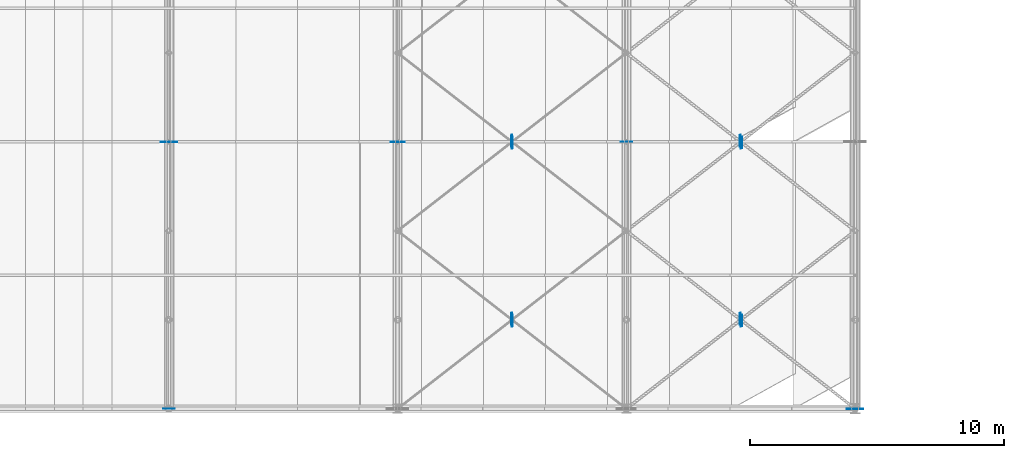
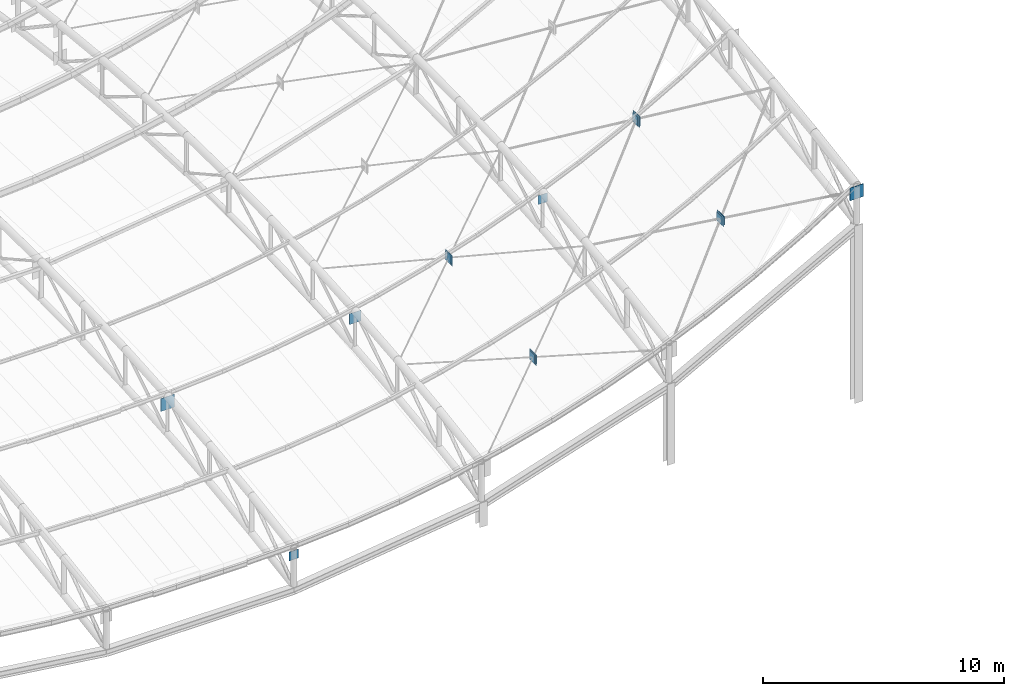
# One storey, part 240 of 262: 17 plates.
"""IFC4 building model written with IfcOpenShell, lengths in metres."""

import ifcopenshell
import ifcopenshell.guid

model = None  # the IFC model being written
_history = None  # IfcOwnerHistory: only IFC2X3 demands one
_inside = {}  # id of a spatial element -> (the spatial element, [elements in it])
_under = {}  # id of a project, library or spatial element -> (it, [spatial elements below it])
_declared = {}  # id of a project -> (the project, [libraries it declares])
_typed = {}  # id of a type object -> (the type object, [elements of that type])
_made_of = {}  # id of a material, layer set ... -> (it, [elements and type objects made of it])


def new_model(schema):
    """Start an empty IFC model of exactly this schema.

    Asked for "IFC4X3", IfcOpenShell would pick the latest addendum, in which some entities
    have other attributes; the version numbers below select the first issue.
    IFC2X3 requires an IfcOwnerHistory on every rooted entity: one is made here for all.
    """
    global model, _history
    if schema == "IFC4X3":
        model = ifcopenshell.file(schema_version=(4, 3, 0, 0))
    else:
        model = ifcopenshell.file(schema=schema)
    _inside.clear()
    _under.clear()
    _declared.clear()
    _typed.clear()
    _made_of.clear()
    _history = None
    if model.schema == "IFC2X3":
        org = make("IfcOrganization", Name="unknown")
        user = make(
            "IfcPersonAndOrganization",
            ThePerson=make("IfcPerson", FamilyName="unknown"),
            TheOrganization=org,
        )
        app = make(
            "IfcApplication",
            ApplicationDeveloper=org,
            Version="unknown",
            ApplicationFullName="unknown",
            ApplicationIdentifier="unknown",
        )
        _history = make(
            "IfcOwnerHistory",
            OwningUser=user,
            OwningApplication=app,
            ChangeAction="ADDED",
            CreationDate=0,
        )
    return model


def make(cls, **values):
    """One entity of the class cls with the attributes given. An attribute that is None is left unset."""
    return model.create_entity(
        cls, **{name: value for name, value in values.items() if value is not None}
    )


def rooted(cls, **values):
    """An entity with a GlobalId (a new one), such as an element, a storey or a relation."""
    return make(cls, GlobalId=ifcopenshell.guid.new(), OwnerHistory=_history, **values)


def si_unit(unit_type, name, prefix=None):
    """IfcSIUnit, for example si_unit("LENGTHUNIT", "METRE", prefix="MILLI")."""
    return make("IfcSIUnit", UnitType=unit_type, Prefix=prefix, Name=name)


def derived_unit(unit_type, elements):
    """IfcDerivedUnit: a product of units, each with its exponent."""
    return make(
        "IfcDerivedUnit",
        Elements=[
            make("IfcDerivedUnitElement", Unit=unit, Exponent=power)
            for unit, power in elements
        ],
        UnitType=unit_type,
    )


def assignment(units):
    """IfcUnitAssignment: the units of a project."""
    return None if units is None else make("IfcUnitAssignment", Units=units)


def point(xyz):
    """IfcCartesianPoint."""
    return None if xyz is None else make("IfcCartesianPoint", Coordinates=xyz)


def direction(xyz):
    """IfcDirection."""
    return None if xyz is None else make("IfcDirection", DirectionRatios=xyz)


def frame(location, z_axis=None, x_axis=None):
    """IfcAxis2Placement3D, a coordinate frame: its origin and axes. An axis left out is left unset."""
    return make(
        "IfcAxis2Placement3D",
        Location=point(location),
        Axis=direction(z_axis),
        RefDirection=direction(x_axis),
    )


def frame_2d(location, x_axis=None):
    """IfcAxis2Placement2D, a coordinate frame in the plane: its origin and x axis."""
    return make(
        "IfcAxis2Placement2D", Location=point(location), RefDirection=direction(x_axis)
    )


def origin():
    """The frame at (0, 0, 0) with its axes left unset."""
    return frame((0.0, 0.0, 0.0))


def origin_2d():
    """The frame at (0, 0) in the plane with its x axis left unset."""
    return frame_2d((0.0, 0.0))


def place(relative_to, where):
    """IfcLocalPlacement: puts the frame where relative to a parent placement (None: the world)."""
    return make(
        "IfcLocalPlacement", PlacementRelTo=relative_to, RelativePlacement=where
    )


def context(
    kind, dimensions, precision=None, world=None, true_north=None, identifier=None
):
    """IfcGeometricRepresentationContext, for example the 3D "Model" context."""
    return make(
        "IfcGeometricRepresentationContext",
        ContextIdentifier=identifier,
        ContextType=kind,
        CoordinateSpaceDimension=dimensions,
        Precision=precision,
        WorldCoordinateSystem=world,
        TrueNorth=true_north,
    )


def subcontext(parent, identifier, kind, view, scale=None):
    """IfcGeometricRepresentationSubContext, for example "Body" below "Model"."""
    return make(
        "IfcGeometricRepresentationSubContext",
        ContextIdentifier=identifier,
        ContextType=kind,
        ParentContext=parent,
        TargetScale=scale,
        TargetView=view,
    )


def project(units=None, contexts=None):
    """IfcProject with its units and contexts."""
    return rooted(
        "IfcProject",
        Name="project",
        RepresentationContexts=contexts,
        UnitsInContext=assignment(units),
    )


def spatial(cls, under=None, at=None, **own):
    """A site, building, storey or space (cls), placed at a placement, below another one or the project."""
    s = rooted(cls, ObjectPlacement=at, **own)
    if under is not None:
        _under.setdefault(under.id(), (under, []))[1].append(s)
    return s


def profile(cls, at=None, kind="AREA", **sizes):
    """A parametric profile (cls). Its sizes go by their IFC names, for example OverallWidth=200.0."""
    return make(cls, ProfileType=kind, Position=at, **sizes)


def rectangle(**sizes):
    """IfcRectangleProfileDef."""
    return profile("IfcRectangleProfileDef", **sizes)


def extrude(swept, where, along, depth):
    """IfcExtrudedAreaSolid: the profile swept, set in the frame where, extruded along a direction by depth."""
    return make(
        "IfcExtrudedAreaSolid",
        SweptArea=swept,
        Position=where,
        ExtrudedDirection=direction(along),
        Depth=depth,
    )


def shape(context_of_items, identifier, shape_type, items):
    """IfcShapeRepresentation: the items that make up one representation, for example the "Body"."""
    return make(
        "IfcShapeRepresentation",
        ContextOfItems=context_of_items,
        RepresentationIdentifier=identifier,
        RepresentationType=shape_type,
        Items=items,
    )


def material(Name=None, Category=None):
    """IfcMaterial."""
    return make("IfcMaterial", Name=Name, Category=Category)


def layer(
    of_material, thickness, ventilated=None, Name=None, Category=None, Priority=None
):
    """IfcMaterialLayer: one layer of a wall or slab, of a material (None: an air gap)."""
    return make(
        "IfcMaterialLayer",
        Material=of_material,
        LayerThickness=thickness,
        IsVentilated=ventilated,
        Name=Name,
        Category=Category,
        Priority=Priority,
    )


def layer_set(layers, Name=None):
    """IfcMaterialLayerSet."""
    return make("IfcMaterialLayerSet", MaterialLayers=layers, LayerSetName=Name)


def made_of(thing, what):
    """Note that an element or type object is made of a material, layer set ...; save() writes the relation."""
    if what is not None:
        _made_of.setdefault(what.id(), (what, []))[1].append(thing)
    return thing


def type_object(cls, material=None, **own):
    """A type object (cls), such as IfcWallType, which elements share."""
    return made_of(rooted(cls, **own), material)


def element(
    cls,
    number,
    at=None,
    inside=None,
    cuts=None,
    type_object=None,
    material=None,
    context=None,
    identifier="Body",
    shape_type=None,
    held_by="IfcProductDefinitionShape",
    body=None,
    shapes=None,
    **own,
):
    """One element of the class cls, such as IfcWall. Its Tag is "e" and its number.

    at: its placement. inside: the storey or other place that contains it. cuts: it is an
    opening in that element (IfcRelVoidsElement). A single representation is given by context,
    identifier, shape_type and body (its items); several are given by shapes. held_by: the class
    of the entity that holds the representations. save() writes the other relations.
    """
    e = rooted(cls, Tag="e%d" % number, ObjectPlacement=at, **own)
    if body is not None:
        shapes = [shape(context, identifier, shape_type, body)]
    if shapes is not None:
        e.Representation = make(held_by, Representations=shapes)
    if inside is not None:
        _inside.setdefault(inside.id(), (inside, []))[1].append(e)
    if cuts is not None:
        rooted(
            "IfcRelVoidsElement", RelatingBuildingElement=cuts, RelatedOpeningElement=e
        )
    if type_object is not None:
        _typed.setdefault(type_object.id(), (type_object, []))[1].append(e)
    return made_of(e, material)


def aggregate(whole, parts):
    """IfcRelAggregates: a whole, such as a stair, and the parts it consists of."""
    return rooted("IfcRelAggregates", RelatingObject=whole, RelatedObjects=parts)


def save(model, path):
    """Write the relations noted so far, then the file.

    IfcRelAggregates (storeys below a building ...), IfcRelContainedInSpatialStructure (elements
    in a storey), IfcRelDefinesByType, IfcRelAssociatesMaterial and IfcRelDeclares: one each for
    every whole, place, type object, material and project.
    """
    for whole, parts in _under.values():
        aggregate(whole, parts)
    for where, things in _inside.values():
        rooted(
            "IfcRelContainedInSpatialStructure",
            RelatedElements=things,
            RelatingStructure=where,
        )
    for kind, things in _typed.values():
        rooted("IfcRelDefinesByType", RelatedObjects=things, RelatingType=kind)
    for what, things in _made_of.values():
        rooted("IfcRelAssociatesMaterial", RelatedObjects=things, RelatingMaterial=what)
    for by, libraries in _declared.values():
        rooted("IfcRelDeclares", RelatingContext=by, RelatedDefinitions=libraries)
    model.write(path)


model = new_model("IFC4")

# Units and contexts
model_context = context("Model", 3, precision=1e-05, world=origin(), true_north=direction((0.0, 1.0)))
body_context = subcontext(model_context, "Body", "Model", "MODEL_VIEW")
ifc_project = project(units=[si_unit("LENGTHUNIT", "METRE"), si_unit("AREAUNIT", "SQUARE_METRE"), si_unit("VOLUMEUNIT", "CUBIC_METRE"), si_unit("PLANEANGLEUNIT", "RADIAN"), si_unit("MASSUNIT", "GRAM", prefix="KILO"), derived_unit("THERMALTRANSMITTANCEUNIT", [(si_unit("POWERUNIT", "WATT"), 1), (si_unit("LENGTHUNIT", "METRE"), -2), (si_unit("THERMODYNAMICTEMPERATUREUNIT", "KELVIN"), -1)])], contexts=[model_context])

# Site, building, storey
site_placement = place(None, origin())
site = spatial("IfcSite", under=ifc_project, at=site_placement, CompositionType="ELEMENT")
building_placement = place(site_placement, origin())
building = spatial("IfcBuilding", under=site, at=building_placement, Name="Almenara Railside Exhibition Hall", CompositionType="ELEMENT")
storey_placement = place(building_placement, frame((0.0, 0.0, 21.699951171875)))
storey = spatial("IfcBuildingStorey", under=building, at=storey_placement, Name="RF", CompositionType="ELEMENT", Elevation=21.699951171875)

# Plates
ifc_material = material(Name="Structural steel S355JR", Category="steel")
ifc_layer_1 = layer(ifc_material, 0.011962890625, Name="Structural steel S355JR")
ifc_layer_set_1 = layer_set([ifc_layer_1], Name="Structural steel S355JR")
plate_type_1 = type_object("IfcPlateType", Name="Truss Node Gusset Plate 12mm S355JR", PredefinedType="USERDEFINED", material=ifc_layer_set_1)
for number, where, z_axis, x_axis, name in (
    (1, (39.0, 0.0, -8.62646484375), (0.0, 0.0, 1.0), (1.0, 0.0, 0.0), "PLT-GUS-0245"),
    (2, (57.0, 10.5, -3.22412109375), (0.0, 0.0, 1.0), (1.0, 0.0, 0.0), "PLT-GUS-0261"),
    (3, (52.470458984375, 3.523193359375, -5.44580078125), (0.0, 0.0, 1.0), (0.0, 1.0, 0.0), "PLT-GUS-0307"),
    (4, (52.529541015625, 3.476806640625, -5.43359375), (0.0, 0.0, 1.0), (0.0, 1.0, 0.0), "PLT-GUS-0308"),
    (5, (52.470458984375, 10.52294921875, -4.64697265625), (0.0, 0.0, 1.0), (0.0, 1.0, 0.0), "PLT-GUS-0310"),
    (6, (52.529541015625, 10.47705078125, -4.63232421875), (0.0, 0.0, 1.0), (0.0, 1.0, 0.0), "PLT-GUS-0311"),
    (7, (61.457275390625, 3.533203125, -1.5732421875), (0.0, 0.0, 1.0), (0.0, 1.0, 0.0), "PLT-GUS-0325"),
    (8, (61.542724609375, 3.466796875, -1.5361328125), (0.0, 0.0, 1.0), (0.0, 1.0, 0.0), "PLT-GUS-0326"),
    (9, (61.457763671875, 10.53271484375, -0.7744140625), (0.0, 0.0, 1.0), (0.0, 1.0, 0.0), "PLT-GUS-0328"),
    (10, (61.542236328125, 10.46728515625, -0.734375), (0.0, 0.0, 1.0), (0.0, 1.0, 0.0), "PLT-GUS-0329"),
):
    element("IfcPlate", number, at=place(storey_placement, frame(where, z_axis=z_axis, x_axis=x_axis)), inside=storey, type_object=plate_type_1, Name=name, ObjectType="GUSSET_PLATE", PredefinedType="USERDEFINED", context=body_context, shape_type="SweptSolid", body=[
        extrude(rectangle(XDim=0.449951171875, YDim=0.011962890625, at=origin_2d()), origin(), (0.0, 0.0, 1.0), 0.449951171875),
    ])
ifc_layer_2 = layer(ifc_material, 0.01611328125, Name="Structural steel S355JR")
ifc_layer_set_2 = layer_set([ifc_layer_2], Name="Structural steel S355JR")
plate_type_2 = type_object("IfcPlateType", Name="Truss Node Gusset Plate 16mm S355JR", PredefinedType="USERDEFINED", material=ifc_layer_set_2)
for number, where, z_axis, x_axis, name in (
    (11, (48.0, 10.5, -6.1455078125), (0.0, 0.0, 1.0), (1.0, 0.0, 0.0), "PLT-GUS-0251"),
    (12, (52.5, 3.5, -5.48974609375), (0.0, 0.0, 1.0), (0.0, 1.0, 0.0), "PLT-GUS-0306"),
    (13, (52.5, 10.5, -4.68994140625), (0.0, 0.0, 1.0), (0.0, 1.0, 0.0), "PLT-GUS-0309"),
    (14, (61.5, 3.5, -1.6044921875), (0.0, 0.0, 1.0), (0.0, 1.0, 0.0), "PLT-GUS-0324"),
    (15, (61.5, 10.5, -0.8046875), (0.0, 0.0, 1.0), (0.0, 1.0, 0.0), "PLT-GUS-0327"),
):
    element("IfcPlate", number, at=place(storey_placement, frame(where, z_axis=z_axis, x_axis=x_axis)), inside=storey, type_object=plate_type_2, Name=name, ObjectType="GUSSET_PLATE", PredefinedType="USERDEFINED", context=body_context, shape_type="SweptSolid", body=[
        extrude(rectangle(XDim=0.550048828125, YDim=0.01611328125, at=origin_2d()), origin(), (0.0, 0.0, 1.0), 0.550048828125),
    ])
ifc_layer_3 = layer(ifc_material, 0.02001953125, Name="Structural steel S355JR")
ifc_layer_set_3 = layer_set([ifc_layer_3], Name="Structural steel S355JR")
plate_type_3 = type_object("IfcPlateType", Name="Truss Node Gusset Plate 20mm S355JR", PredefinedType="USERDEFINED", material=ifc_layer_set_3)
for number, where, z_axis, x_axis, name in (
    (16, (39.0, 10.5, -7.376708984375), (0.0, 0.0, 1.0), (1.0, 0.0, 0.0), "PLT-GUS-0246"),
    (17, (66.0, 0.0, 0.22509765625), (0.0, 0.0, 1.0), (1.0, 0.0, 0.0), "PLT-GUS-0265"),
):
    element("IfcPlate", number, at=place(storey_placement, frame(where, z_axis=z_axis, x_axis=x_axis)), inside=storey, type_object=plate_type_3, Name=name, ObjectType="GUSSET_PLATE", PredefinedType="USERDEFINED", context=body_context, shape_type="SweptSolid", body=[
        extrude(rectangle(XDim=0.64990234375, YDim=0.02001953125, at=origin_2d()), origin(), (0.0, 0.0, 1.0), 0.64990234375),
    ])

save(model, "model.ifc")
